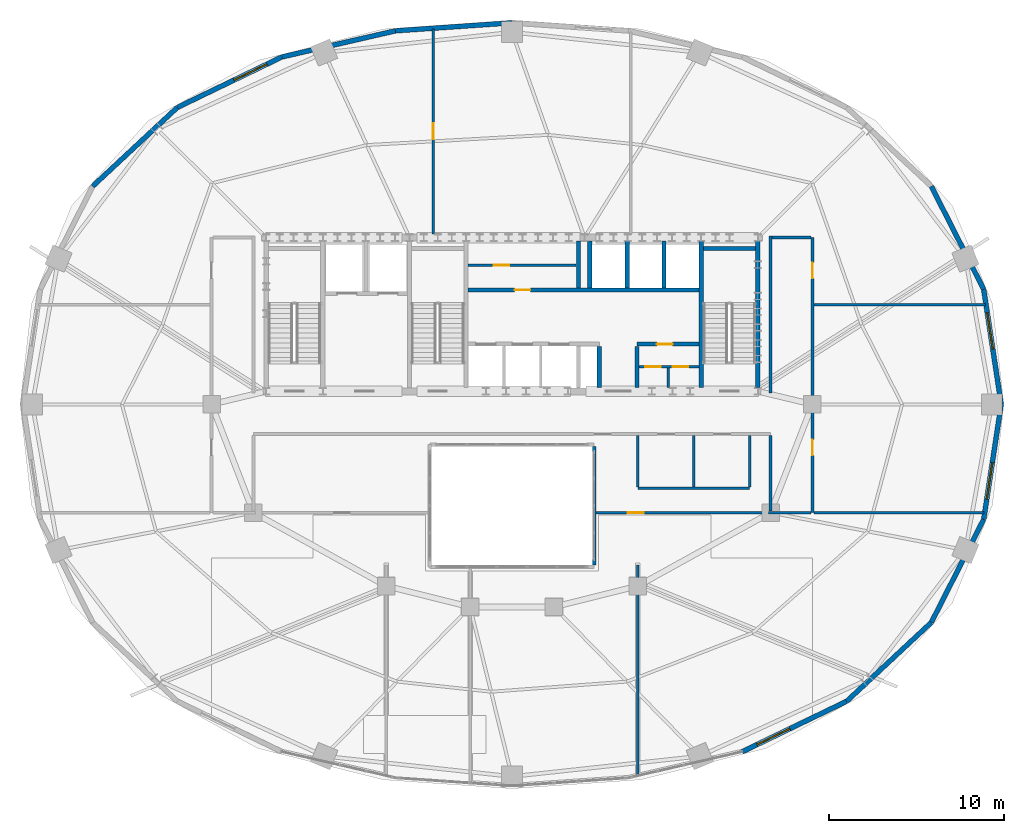
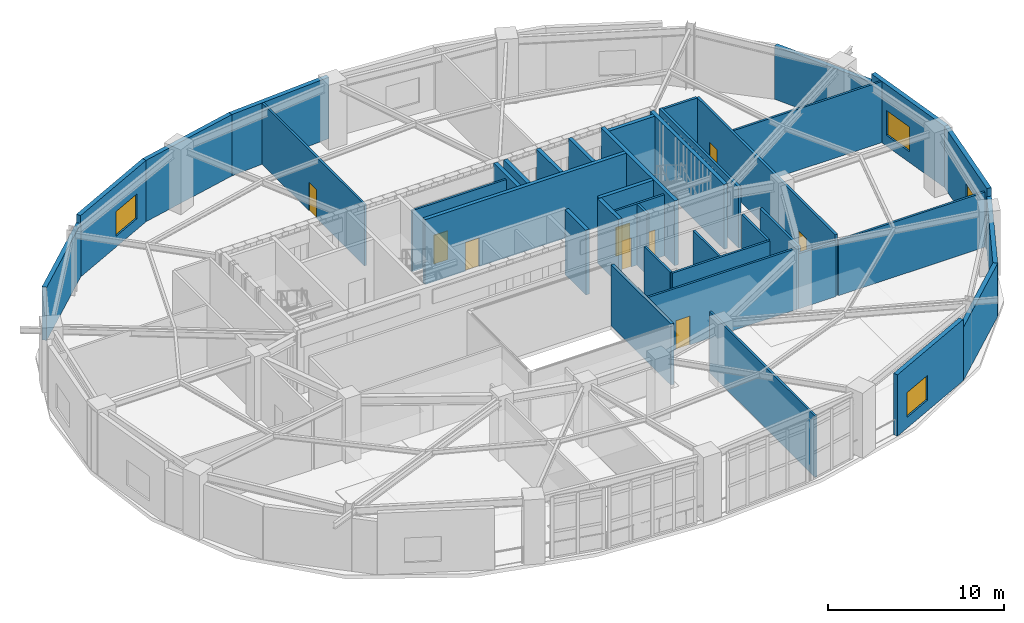
# One storey, part 10 of 13: 39 walls, 9 doors, 4 windows, 13 openings.
"""IFC4 building model written with IfcOpenShell, lengths in metres."""

from ifc_helpers import new_model, si_unit, direction, frame, frame_2d, origin, place, context, subcontext, project, spatial, rectangle, extrude, material, layer, layer_set, type_object, element, fill, save


model = new_model("IFC4")

# Units and contexts
model_context = context("Model", 3, precision=1e-05, world=origin(), true_north=direction((0.0, 1.0)))
body_context = subcontext(model_context, "Body", "Model", "MODEL_VIEW")
ifc_project = project(units=[si_unit("LENGTHUNIT", "METRE"), si_unit("AREAUNIT", "SQUARE_METRE"), si_unit("VOLUMEUNIT", "CUBIC_METRE"), si_unit("PLANEANGLEUNIT", "RADIAN"), si_unit("MASSUNIT", "GRAM", prefix="KILO")], contexts=[model_context])

# Site, building, storey
site_placement = place(None, origin())
site = spatial("IfcSite", under=ifc_project, at=site_placement, CompositionType="ELEMENT")
building_placement = place(site_placement, origin())
building = spatial("IfcBuilding", under=site, at=building_placement, Name="Haldorwick Loom Tower", CompositionType="ELEMENT")
storey_placement = place(building_placement, frame((0.0, 0.0, 188.949951171875)))
storey = spatial("IfcBuildingStorey", under=building, at=storey_placement, Name="L51", CompositionType="ELEMENT", Elevation=188.949951171875)

# Wall, opening, window
ifc_material_1 = material(Name="Pressed Clay Face Brick and Insulated Masonry Backup Assembly", Category="masonry")
ifc_layer_1 = layer(ifc_material_1, 0.280029296875, Name="Pressed Clay Face Brick and Insulated Masonry Backup Assembly", Category="masonry")
ifc_layer_set_1 = layer_set([ifc_layer_1], Name="Pressed Clay Face Brick and Insulated Masonry Backup Assembly")
wall_type_1 = type_object("IfcWallType", Name="ARC-WL-EXT280", PredefinedType="STANDARD", material=ifc_layer_set_1)
wall_1_placement = place(storey_placement, frame((64.00634765625, 26.0, 0.0), z_axis=(0.0, 0.0, 1.0), x_axis=(-0.150467697578, 0.988614926038, 0.0)))
wall_1 = element("IfcWall", 1, at=wall_1_placement, inside=storey, type_object=wall_type_1, Name="L51 Brick Pier and Spandrel Wall 1", PredefinedType="STANDARD", context=body_context, shape_type="SweptSolid", body=[
    extrude(rectangle(XDim=6.66064453125, YDim=0.280029296875, at=frame_2d((3.330322265625, 0.0))), origin(), (0.0, 0.0, 1.0), 4.260009765625),
])
opening_1_placement = place(wall_1_placement, frame((3.20556640625, 0.0, 0.75)))
opening_1 = element("IfcOpeningElement", 2, at=opening_1_placement, cuts=wall_1, Name="Opening W-04", PredefinedType="OPENING", context=body_context, shape_type="SweptSolid", body=[
    extrude(rectangle(XDim=2.10009765625, YDim=1.719970703125, at=frame_2d((1.050048828125, 0.85986328125))), frame((0.0, 0.14990234375, 0.0), z_axis=(0.0, -1.0, 0.0), x_axis=(1.0, 0.0, 0.0)), (0.0, 0.0, 1.0), 0.300048828125),
])
ifc_material_2 = material(Name="Triple-Glazed Low-E Argon Insulated Glazing Unit", Category="glass")
window_type = type_object("IfcWindowType", Name="ARC-WIN-W210", PartitioningType="SINGLE_PANEL", PredefinedType="WINDOW", material=ifc_material_2)
window_1_placement = place(opening_1_placement, origin())
window_1 = element("IfcWindow", 3, at=window_1_placement, inside=storey, type_object=window_type, Name="L51 Deep-Set Zone 7A Window 1", OverallHeight=1.719970703125, OverallWidth=2.10009765625, PartitioningType="SINGLE_PANEL", PredefinedType="WINDOW", context=body_context, shape_type="SweptSolid", body=[
    extrude(rectangle(XDim=2.10009765625, YDim=1.719970703125, at=frame_2d((1.050048828125, 0.85986328125))), frame((0.0, 0.030029296875, 0.0), z_axis=(0.0, -1.0, 0.0), x_axis=(1.0, 0.0, 0.0)), (0.0, 0.0, 1.0), 0.06005859375),
])
fill(opening_1, window_1)

# Walls
wall_2_placement = place(storey_placement, frame((63.004150390625, 32.584716796875, 0.0), z_axis=(0.0, 0.0, 1.0), x_axis=(-0.453032066879, 0.89149422117, 0.0)))
element("IfcWall", 4, at=wall_2_placement, inside=storey, type_object=wall_type_1, Name="L51 Brick Pier and Spandrel Wall 2", PredefinedType="STANDARD", context=body_context, shape_type="SweptSolid", body=[
    extrude(rectangle(XDim=6.618896484375, YDim=0.280029296875, at=frame_2d((3.3095703125, 0.0))), origin(), (0.0, 0.0, 1.0), 3.691162109375),
])
wall_3_placement = place(storey_placement, frame((36.0, 47.844970703125, 0.0), z_axis=(0.0, 0.0, 1.0), x_axis=(-0.99764992135, -0.068517402386, 0.0)))
element("IfcWall", 5, at=wall_3_placement, inside=storey, type_object=wall_type_1, Name="L51 Brick Pier and Spandrel Wall 7", PredefinedType="STANDARD", context=body_context, shape_type="SweptSolid", body=[
    extrude(rectangle(XDim=6.680908203125, YDim=0.280029296875, at=frame_2d((3.34033203125, 0.0))), origin(), (0.0, 0.0, 1.0), 4.260009765625),
])
wall_4_placement = place(storey_placement, frame((29.334716796875, 47.38720703125, 0.0), z_axis=(0.0, 0.0, 1.0), x_axis=(-0.974557343474, -0.224138315065, 0.0)))
element("IfcWall", 6, at=wall_4_placement, inside=storey, type_object=wall_type_1, Name="L51 Brick Pier and Spandrel Wall 8", PredefinedType="STANDARD", context=body_context, shape_type="SweptSolid", body=[
    extrude(rectangle(XDim=6.676025390625, YDim=0.280029296875, at=frame_2d((3.337890625, 0.0))), origin(), (0.0, 0.0, 1.0), 4.260009765625),
])

# Wall, opening, window
wall_5_placement = place(storey_placement, frame((22.82861328125, 45.890869140625, 0.0), z_axis=(0.0, 0.0, 1.0), x_axis=(-0.900371236029, -0.435122554381, 0.0)))
wall_5 = element("IfcWall", 7, at=wall_5_placement, inside=storey, type_object=wall_type_1, Name="L51 Brick Pier and Spandrel Wall 9", PredefinedType="STANDARD", context=body_context, shape_type="SweptSolid", body=[
    extrude(rectangle(XDim=6.6533203125, YDim=0.280029296875, at=frame_2d((3.32666015625, 0.0))), origin(), (0.0, 0.0, 1.0), 4.260009765625),
])
opening_2_placement = place(wall_5_placement, frame((0.946044921875, 0.0, 0.75)))
opening_2 = element("IfcOpeningElement", 8, at=opening_2_placement, cuts=wall_5, Name="Opening W-04", PredefinedType="OPENING", context=body_context, shape_type="SweptSolid", body=[
    extrude(rectangle(XDim=2.10009765625, YDim=1.719970703125, at=frame_2d((1.050048828125, 0.85986328125))), frame((0.0, 0.14990234375, 0.0), z_axis=(0.0, -1.0, 0.0), x_axis=(1.0, 0.0, 0.0)), (0.0, 0.0, 1.0), 0.300048828125),
])
window_2_placement = place(opening_2_placement, origin())
window_2 = element("IfcWindow", 9, at=window_2_placement, inside=storey, type_object=window_type, Name="L51 Deep-Set Zone 7A Window 9", OverallHeight=1.719970703125, OverallWidth=2.10009765625, PartitioningType="SINGLE_PANEL", PredefinedType="WINDOW", context=body_context, shape_type="SweptSolid", body=[
    extrude(rectangle(XDim=2.10009765625, YDim=1.719970703125, at=frame_2d((1.050048828125, 0.85986328125))), frame((0.0, 0.030029296875, 0.0), z_axis=(0.0, -1.0, 0.0), x_axis=(1.0, 0.0, 0.0)), (0.0, 0.0, 1.0), 0.06005859375),
])
fill(opening_2, window_2)

# Wall
wall_6_placement = place(storey_placement, frame((16.838134765625, 42.995849609375, 0.0), z_axis=(0.0, 0.0, 1.0), x_axis=(-0.731833707499, -0.681483253329, 0.0)))
element("IfcWall", 10, at=wall_6_placement, inside=storey, type_object=wall_type_1, Name="L51 Brick Pier and Spandrel Wall 10", PredefinedType="STANDARD", context=body_context, shape_type="SweptSolid", body=[
    extrude(rectangle(XDim=6.61865234375, YDim=0.280029296875, at=frame_2d((3.309326171875, 0.0))), origin(), (0.0, 0.0, 1.0), 3.691162109375),
])

# Wall, opening, window
wall_7_placement = place(storey_placement, frame((49.17138671875, 6.109130859375, 0.0), z_axis=(0.0, 0.0, 1.0), x_axis=(0.900371236029, 0.435122554381, 0.0)))
wall_7 = element("IfcWall", 11, at=wall_7_placement, inside=storey, type_object=wall_type_1, Name="L51 Brick Pier and Spandrel Wall 21", PredefinedType="STANDARD", context=body_context, shape_type="SweptSolid", body=[
    extrude(rectangle(XDim=6.6533203125, YDim=0.280029296875, at=frame_2d((3.32666015625, 0.0))), origin(), (0.0, 0.0, 1.0), 4.260009765625),
])
opening_3_placement = place(wall_7_placement, frame((0.946044921875, 0.0, 0.75)))
opening_3 = element("IfcOpeningElement", 12, at=opening_3_placement, cuts=wall_7, Name="Opening W-04", PredefinedType="OPENING", context=body_context, shape_type="SweptSolid", body=[
    extrude(rectangle(XDim=2.10009765625, YDim=1.719970703125, at=frame_2d((1.050048828125, 0.85986328125))), frame((0.0, 0.14990234375, 0.0), z_axis=(0.0, -1.0, 0.0), x_axis=(1.0, 0.0, 0.0)), (0.0, 0.0, 1.0), 0.300048828125),
])
window_3_placement = place(opening_3_placement, origin())
window_3 = element("IfcWindow", 13, at=window_3_placement, inside=storey, type_object=window_type, Name="L51 Deep-Set Zone 7A Window 21", OverallHeight=1.719970703125, OverallWidth=2.10009765625, PartitioningType="SINGLE_PANEL", PredefinedType="WINDOW", context=body_context, shape_type="SweptSolid", body=[
    extrude(rectangle(XDim=2.10009765625, YDim=1.719970703125, at=frame_2d((1.050048828125, 0.85986328125))), frame((0.0, 0.030029296875, 0.0), z_axis=(0.0, -1.0, 0.0), x_axis=(1.0, 0.0, 0.0)), (0.0, 0.0, 1.0), 0.06005859375),
])
fill(opening_3, window_3)

# Walls
wall_8_placement = place(storey_placement, frame((55.161865234375, 9.004150390625, 0.0), z_axis=(0.0, 0.0, 1.0), x_axis=(0.731833707499, 0.681483253329, 0.0)))
element("IfcWall", 14, at=wall_8_placement, inside=storey, type_object=wall_type_1, Name="L51 Brick Pier and Spandrel Wall 22", PredefinedType="STANDARD", context=body_context, shape_type="SweptSolid", body=[
    extrude(rectangle(XDim=6.61865234375, YDim=0.280029296875, at=frame_2d((3.309326171875, 0.0))), origin(), (0.0, 0.0, 1.0), 3.691162109375),
])
wall_9_placement = place(storey_placement, frame((60.005615234375, 13.5146484375, 0.0), z_axis=(0.0, 0.0, 1.0), x_axis=(0.453032066879, 0.89149422117, 0.0)))
element("IfcWall", 15, at=wall_9_placement, inside=storey, type_object=wall_type_1, Name="L51 Brick Pier and Spandrel Wall 23", PredefinedType="STANDARD", context=body_context, shape_type="SweptSolid", body=[
    extrude(rectangle(XDim=6.618896484375, YDim=0.280029296875, at=frame_2d((3.3095703125, 0.0))), origin(), (0.0, 0.0, 1.0), 3.691162109375),
])

# Wall, opening, window
wall_10_placement = place(storey_placement, frame((63.004150390625, 19.415283203125, 0.0), z_axis=(0.0, 0.0, 1.0), x_axis=(0.150467697578, 0.988614926038, 0.0)))
wall_10 = element("IfcWall", 16, at=wall_10_placement, inside=storey, type_object=wall_type_1, Name="L51 Brick Pier and Spandrel Wall 24", PredefinedType="STANDARD", context=body_context, shape_type="SweptSolid", body=[
    extrude(rectangle(XDim=6.66064453125, YDim=0.280029296875, at=frame_2d((3.330322265625, 0.0))), origin(), (0.0, 0.0, 1.0), 4.260009765625),
])
opening_4_placement = place(wall_10_placement, frame((1.17578125, 0.0, 0.75)))
opening_4 = element("IfcOpeningElement", 17, at=opening_4_placement, cuts=wall_10, Name="Opening W-04", PredefinedType="OPENING", context=body_context, shape_type="SweptSolid", body=[
    extrude(rectangle(XDim=2.10009765625, YDim=1.719970703125, at=frame_2d((1.050048828125, 0.85986328125))), frame((0.0, 0.14990234375, 0.0), z_axis=(0.0, -1.0, 0.0), x_axis=(1.0, 0.0, 0.0)), (0.0, 0.0, 1.0), 0.300048828125),
])
window_4_placement = place(opening_4_placement, origin())
window_4 = element("IfcWindow", 18, at=window_4_placement, inside=storey, type_object=window_type, Name="L51 Deep-Set Zone 7A Window 24", OverallHeight=1.719970703125, OverallWidth=2.10009765625, PartitioningType="SINGLE_PANEL", PredefinedType="WINDOW", context=body_context, shape_type="SweptSolid", body=[
    extrude(rectangle(XDim=2.10009765625, YDim=1.719970703125, at=frame_2d((1.050048828125, 0.85986328125))), frame((0.0, 0.030029296875, 0.0), z_axis=(0.0, -1.0, 0.0), x_axis=(1.0, 0.0, 0.0)), (0.0, 0.0, 1.0), 0.06005859375),
])
fill(opening_4, window_4)

# Wall, openings, doors
ifc_material_3 = material(Name="Fire-Rated Type X Gypsum Stud Assembly EI 60")
ifc_layer_2 = layer(ifc_material_3, 0.159912109375, Name="Fire-Rated Type X Gypsum Stud Assembly EI 60")
ifc_layer_set_2 = layer_set([ifc_layer_2], Name="Fire-Rated Type X Gypsum Stud Assembly EI 60")
wall_type_2 = type_object("IfcWallType", Name="ARC-WL-FIRE160", PredefinedType="PARTITIONING", material=ifc_layer_set_2)
wall_11_placement = place(storey_placement, frame((53.199951171875, 19.800048828125, 0.0), z_axis=(0.0, 0.0, 1.0), x_axis=(0.0, 1.0, 0.0)))
wall_11 = element("IfcWall", 19, at=wall_11_placement, inside=storey, type_object=wall_type_2, Name="L51 Interior Partition L51-CE0", PredefinedType="PARTITIONING", context=body_context, shape_type="SweptSolid", body=[
    extrude(rectangle(XDim=15.75, YDim=0.159912109375, at=frame_2d((7.875, 0.0))), origin(), (0.0, 0.0, 1.0), 4.2451171875),
])
opening_5_placement = place(wall_11_placement, frame((3.28466796875, 0.0, 0.0)))
opening_5 = element("IfcOpeningElement", 20, at=opening_5_placement, cuts=wall_11, Name="Opening D-FD60A", PredefinedType="OPENING", context=body_context, shape_type="SweptSolid", body=[
    extrude(rectangle(XDim=0.89990234375, YDim=2.0, at=frame_2d((0.449951171875, 1.0))), frame((0.0, 0.08984375, 0.0), z_axis=(0.0, -1.0, 0.0), x_axis=(1.0, 0.0, 0.0)), (0.0, 0.0, 1.0), 0.179931640625),
])
opening_6_placement = place(wall_11_placement, frame((13.414306640625, 0.0, 0.0)))
opening_6 = element("IfcOpeningElement", 21, at=opening_6_placement, cuts=wall_11, Name="Opening D-FD60A", PredefinedType="OPENING", context=body_context, shape_type="SweptSolid", body=[
    extrude(rectangle(XDim=0.89990234375, YDim=2.0, at=frame_2d((0.449951171875, 1.0))), frame((0.0, 0.08984375, 0.0), z_axis=(0.0, -1.0, 0.0), x_axis=(1.0, 0.0, 0.0)), (0.0, 0.0, 1.0), 0.179931640625),
])
ifc_material_4 = material(Name="Hollow Steel Fire Door Assembly", Category="steel")
door_type_1 = type_object("IfcDoorType", Name="ARC-DR-FD60-90", OperationType="NOTDEFINED", PredefinedType="DOOR", material=ifc_material_4)
door_1_placement = place(opening_5_placement, origin())
door_1 = element("IfcDoor", 22, at=door_1_placement, inside=storey, type_object=door_type_1, Name="L51 L51 Central Transfer Corridor to Community Teaching Lab 7 Door", OperationType="SINGLE_SWING_LEFT", OverallHeight=2.0, OverallWidth=0.89990234375, PredefinedType="DOOR", context=body_context, shape_type="SweptSolid", body=[
    extrude(rectangle(XDim=0.89990234375, YDim=2.0, at=frame_2d((0.449951171875, 1.0))), frame((0.0, 0.02490234375, 0.0), z_axis=(0.0, -1.0, 0.0), x_axis=(1.0, 0.0, 0.0)), (0.0, 0.0, 1.0), 0.050048828125),
])
fill(opening_5, door_1)
door_2_placement = place(opening_6_placement, origin())
door_2 = element("IfcDoor", 23, at=door_2_placement, inside=storey, type_object=door_type_1, Name="L51 L51 Central Transfer Corridor to Seminar Room 9 Door", OperationType="SINGLE_SWING_LEFT", OverallHeight=2.0, OverallWidth=0.89990234375, PredefinedType="DOOR", context=body_context, shape_type="SweptSolid", body=[
    extrude(rectangle(XDim=0.89990234375, YDim=2.0, at=frame_2d((0.449951171875, 1.0))), frame((0.0, 0.02490234375, 0.0), z_axis=(0.0, -1.0, 0.0), x_axis=(1.0, 0.0, 0.0)), (0.0, 0.0, 1.0), 0.050048828125),
])
fill(opening_6, door_2)

# Walls
wall_12_placement = place(storey_placement, frame((50.679931640625, 19.800048828125, 0.0), z_axis=(0.0, 0.0, 1.0), x_axis=(1.0, 0.0, 0.0)))
element("IfcWall", 24, at=wall_12_placement, inside=storey, type_object=wall_type_2, Name="L51 Interior Partition L51-CES", PredefinedType="PARTITIONING", context=body_context, shape_type="SweptSolid", body=[
    extrude(rectangle(XDim=2.43701171875, YDim=0.159912109375, at=frame_2d((1.218505859375, 0.0))), origin(), (0.0, 0.0, 1.0), 3.822021484375),
])
wall_13_placement = place(storey_placement, frame((50.800048828125, 19.883056640625, 0.0), z_axis=(0.0, 0.0, 1.0), x_axis=(0.0, 1.0, 0.0)))
element("IfcWall", 25, at=wall_13_placement, inside=storey, type_object=wall_type_2, Name="L51 Interior Partition L51-CE1", PredefinedType="PARTITIONING", context=body_context, shape_type="SweptSolid", body=[
    extrude(rectangle(XDim=4.333984375, YDim=0.159912109375, at=frame_2d((2.1669921875, 0.0))), origin(), (0.0, 0.0, 1.0), 4.2451171875),
])
wall_14_placement = place(storey_placement, frame((50.800048828125, 26.64990234375, 0.0), z_axis=(0.0, 0.0, 1.0), x_axis=(0.0, 1.0, 0.0)))
element("IfcWall", 26, at=wall_14_placement, inside=storey, type_object=wall_type_2, Name="L51 Interior Partition L51-CE2", PredefinedType="PARTITIONING", context=body_context, shape_type="SweptSolid", body=[
    extrude(rectangle(XDim=9.0, YDim=0.159912109375, at=frame_2d((4.5, 0.0))), origin(), (0.0, 0.0, 1.0), 4.2451171875),
])
wall_15_placement = place(storey_placement, frame((50.883056640625, 35.550048828125, 0.0), z_axis=(0.0, 0.0, 1.0), x_axis=(1.0, 0.0, 0.0)))
element("IfcWall", 27, at=wall_15_placement, inside=storey, type_object=wall_type_2, Name="L51 Interior Partition L51-CEN", PredefinedType="PARTITIONING", context=body_context, shape_type="SweptSolid", body=[
    extrude(rectangle(XDim=2.23388671875, YDim=0.159912109375, at=frame_2d((1.116943359375, 0.0))), origin(), (0.0, 0.0, 1.0), 4.2451171875),
])
ifc_material_5 = material(Name="Fire-Rated Type X Gypsum Stud Assembly EI 120")
ifc_layer_3 = layer(ifc_material_5, 0.199951171875, Name="Fire-Rated Type X Gypsum Stud Assembly EI 120")
ifc_layer_set_3 = layer_set([ifc_layer_3], Name="Fire-Rated Type X Gypsum Stud Assembly EI 120")
wall_type_3 = type_object("IfcWallType", Name="ARC-WL-FIRE200", PredefinedType="PARTITIONING", material=ifc_layer_set_3)
wall_16_placement = place(storey_placement, frame((40.699951171875, 23.596923828125, 0.0), z_axis=(0.0, 0.0, 1.0), x_axis=(0.0, -1.0, 0.0)))
element("IfcWall", 28, at=wall_16_placement, inside=storey, type_object=wall_type_3, Name="L51 Atrium Fire Wall", PredefinedType="PARTITIONING", context=body_context, shape_type="SweptSolid", body=[
    extrude(rectangle(XDim=6.7939453125, YDim=0.199951171875, at=frame_2d((3.39697265625, 0.0))), origin(), (0.0, 0.0, 1.0), 4.2451171875),
])

# Wall, opening, door
ifc_layer_4 = layer(ifc_material_3, 0.139892578125, Name="Fire-Rated Type X Gypsum Stud Assembly EI 60")
ifc_layer_set_4 = layer_set([ifc_layer_4], Name="Fire-Rated Type X Gypsum Stud Assembly EI 60")
wall_type_4 = type_object("IfcWallType", Name="ARC-WL-PART140", PredefinedType="PARTITIONING", material=ifc_layer_set_4)
wall_17_placement = place(storey_placement, frame((33.492919921875, 33.9599609375, 0.0), z_axis=(0.0, 0.0, 1.0), x_axis=(1.0, 0.0, 0.0)))
wall_17 = element("IfcWall", 29, at=wall_17_placement, inside=storey, type_object=wall_type_4, Name="L51 Alcove Partition", PredefinedType="PARTITIONING", context=body_context, shape_type="SweptSolid", body=[
    extrude(rectangle(XDim=6.18408203125, YDim=0.139892578125, at=frame_2d((3.092041015625, 0.0))), origin(), (0.0, 0.0, 1.0), 4.2451171875),
])
opening_7_placement = place(wall_17_placement, frame((1.45703125, 0.0, 0.0)))
opening_7 = element("IfcOpeningElement", 30, at=opening_7_placement, cuts=wall_17, Name="Opening D-FD60A", PredefinedType="OPENING", context=body_context, shape_type="SweptSolid", body=[
    extrude(rectangle(XDim=0.89990234375, YDim=2.0, at=frame_2d((0.449951171875, 1.0))), frame((0.0, 0.079833984375, 0.0), z_axis=(0.0, -1.0, 0.0), x_axis=(1.0, 0.0, 0.0)), (0.0, 0.0, 1.0), 0.159912109375),
])
door_3_placement = place(opening_7_placement, frame((0.89990234375, 0.0, 0.0), z_axis=(0.0, 0.0, 1.0), x_axis=(-1.0, 0.0, 0.0)))
door_3 = element("IfcDoor", 31, at=door_3_placement, inside=storey, type_object=door_type_1, Name="L51 Trunk Store Door", OperationType="SINGLE_SWING_LEFT", OverallHeight=2.0, OverallWidth=0.89990234375, PredefinedType="DOOR", context=body_context, shape_type="SweptSolid", body=[
    extrude(rectangle(XDim=0.89990234375, YDim=2.0, at=frame_2d((0.449951171875, 1.0))), frame((0.0, 0.02490234375, 0.0), z_axis=(0.0, -1.0, 0.0), x_axis=(1.0, 0.0, 0.0)), (0.0, 0.0, 1.0), 0.050048828125),
])
fill(opening_7, door_3)

# Wall, openings, doors
wall_18_placement = place(storey_placement, frame((43.27294921875, 28.159912109375, 0.0), z_axis=(0.0, 0.0, 1.0), x_axis=(1.0, 0.0, 0.0)))
wall_18 = element("IfcWall", 32, at=wall_18_placement, inside=storey, type_object=wall_type_4, Name="L51 Telecom Partition", PredefinedType="PARTITIONING", context=body_context, shape_type="SweptSolid", body=[
    extrude(rectangle(XDim=3.43408203125, YDim=0.139892578125, at=frame_2d((1.717041015625, 0.0))), origin(), (0.0, 0.0, 1.0), 4.2451171875),
])
opening_8_placement = place(wall_18_placement, frame((0.366943359375, 0.0, 0.0)))
opening_8 = element("IfcOpeningElement", 33, at=opening_8_placement, cuts=wall_18, Name="Opening D-BT88", PredefinedType="OPENING", context=body_context, shape_type="SweptSolid", body=[
    extrude(rectangle(XDim=0.8798828125, YDim=2.02001953125, at=frame_2d((0.43994140625, 1.010009765625))), frame((0.0, 0.079833984375, 0.0), z_axis=(0.0, -1.0, 0.0), x_axis=(1.0, 0.0, 0.0)), (0.0, 0.0, 1.0), 0.159912109375),
])
opening_9_placement = place(wall_18_placement, frame((1.93701171875, 0.0, 0.0)))
opening_9 = element("IfcOpeningElement", 34, at=opening_9_placement, cuts=wall_18, Name="Opening D-BT88", PredefinedType="OPENING", context=body_context, shape_type="SweptSolid", body=[
    extrude(rectangle(XDim=0.8798828125, YDim=2.02001953125, at=frame_2d((0.43994140625, 1.010009765625))), frame((0.0, 0.079833984375, 0.0), z_axis=(0.0, -1.0, 0.0), x_axis=(1.0, 0.0, 0.0)), (0.0, 0.0, 1.0), 0.159912109375),
])
ifc_material_6 = material(Name="Solid Core Birch Architectural Door")
door_type_2 = type_object("IfcDoorType", Name="ARC-DR-BATH88", OperationType="NOTDEFINED", PredefinedType="DOOR", material=ifc_material_6)
door_4_placement = place(opening_8_placement, origin())
door_4 = element("IfcDoor", 35, at=door_4_placement, inside=storey, type_object=door_type_2, Name="L51 Telecom Room Door", OperationType="SINGLE_SWING_LEFT", OverallHeight=2.02001953125, OverallWidth=0.8798828125, PredefinedType="DOOR", context=body_context, shape_type="SweptSolid", body=[
    extrude(rectangle(XDim=0.8798828125, YDim=2.02001953125, at=frame_2d((0.43994140625, 1.010009765625))), frame((0.0, 0.02490234375, 0.0), z_axis=(0.0, -1.0, 0.0), x_axis=(1.0, 0.0, 0.0)), (0.0, 0.0, 1.0), 0.050048828125),
])
fill(opening_8, door_4)
door_5_placement = place(opening_9_placement, origin())
door_5 = element("IfcDoor", 36, at=door_5_placement, inside=storey, type_object=door_type_2, Name="L51 Metering Closet Door", OperationType="SINGLE_SWING_RIGHT", OverallHeight=2.02001953125, OverallWidth=0.8798828125, PredefinedType="DOOR", context=body_context, shape_type="SweptSolid", body=[
    extrude(rectangle(XDim=0.8798828125, YDim=2.02001953125, at=frame_2d((0.43994140625, 1.010009765625))), frame((0.0, 0.02490234375, 0.0), z_axis=(0.0, -1.0, 0.0), x_axis=(1.0, 0.0, 0.0)), (0.0, 0.0, 1.0), 0.050048828125),
])
fill(opening_9, door_5)

# Walls
wall_19_placement = place(storey_placement, frame((44.949951171875, 26.952880859375, 0.0), z_axis=(0.0, 0.0, 1.0), x_axis=(0.0, 1.0, 0.0)))
element("IfcWall", 37, at=wall_19_placement, inside=storey, type_object=wall_type_4, Name="L51 Metering Sub-Partition", PredefinedType="PARTITIONING", context=body_context, shape_type="SweptSolid", body=[
    extrude(rectangle(XDim=1.134033203125, YDim=0.139892578125, at=frame_2d((0.56689453125, 0.0))), origin(), (0.0, 0.0, 1.0), 4.2451171875),
])
wall_20_placement = place(storey_placement, frame((43.199951171875, 21.199951171875, 0.0), z_axis=(0.0, 0.0, 1.0), x_axis=(1.0, 0.0, 0.0)))
element("IfcWall", 38, at=wall_20_placement, inside=storey, type_object=wall_type_4, Name="L51 Interior Partition L51-WC1", PredefinedType="PARTITIONING", context=body_context, shape_type="SweptSolid", body=[
    extrude(rectangle(XDim=6.400146484375, YDim=0.139892578125, at=frame_2d((3.2001953125, 0.0))), origin(), (0.0, 0.0, 1.0), 4.2451171875),
])
for number, where, z_axis, x_axis, name in (
    (39, (46.39990234375, 21.27294921875, 0.0), (0.0, 0.0, 1.0), (0.0, 1.0, 0.0), "L51 Interior Partition L51-WC2"),
    (40, (43.199951171875, 21.27294921875, 0.0), (0.0, 0.0, 1.0), (0.0, 1.0, 0.0), "L51 Interior Partition L51-WC3"),
    (41, (49.60009765625, 21.27294921875, 0.0), (0.0, 0.0, 1.0), (0.0, 1.0, 0.0), "L51 Interior Partition L51-WC4"),
):
    element("IfcWall", number, at=place(storey_placement, frame(where, z_axis=z_axis, x_axis=x_axis)), inside=storey, type_object=wall_type_4, Name=name, PredefinedType="PARTITIONING", context=body_context, shape_type="SweptSolid", body=[
        extrude(rectangle(XDim=2.944091796875, YDim=0.139892578125, at=frame_2d((1.47216796875, 0.0))), origin(), (0.0, 0.0, 1.0), 4.2451171875),
    ])
wall_21_placement = place(storey_placement, frame((43.199951171875, 4.781982421875, 0.0), z_axis=(0.0, 0.0, 1.0), x_axis=(0.0, 1.0, 0.0)))
element("IfcWall", 42, at=wall_21_placement, inside=storey, type_object=wall_type_4, Name="L51 Interior Partition L51-S-2", PredefinedType="PARTITIONING", context=body_context, shape_type="SweptSolid", body=[
    extrude(rectangle(XDim=12.01806640625, YDim=0.139892578125, at=frame_2d((6.009033203125, 0.0))), origin(), (0.0, 0.0, 1.0), 4.2451171875),
])

# Wall, opening, door
wall_22_placement = place(storey_placement, frame((40.802978515625, 19.800048828125, 0.0), z_axis=(0.0, 0.0, 1.0), x_axis=(1.0, 0.0, 0.0)))
wall_22 = element("IfcWall", 43, at=wall_22_placement, inside=storey, type_object=wall_type_4, Name="L51 Interior Partition L51-EL-S", PredefinedType="PARTITIONING", context=body_context, shape_type="SweptSolid", body=[
    extrude(rectangle(XDim=9.876953125, YDim=0.139892578125, at=frame_2d((4.9384765625, 0.0))), origin(), (0.0, 0.0, 1.0), 4.2451171875),
])
opening_10_placement = place(wall_22_placement, frame((1.8359375, 0.0, 0.0)))
opening_10 = element("IfcOpeningElement", 44, at=opening_10_placement, cuts=wall_22, Name="Opening D-FD60A", PredefinedType="OPENING", context=body_context, shape_type="SweptSolid", body=[
    extrude(rectangle(XDim=0.89990234375, YDim=2.0, at=frame_2d((0.449951171875, 1.0))), frame((0.0, 0.079833984375, 0.0), z_axis=(0.0, -1.0, 0.0), x_axis=(1.0, 0.0, 0.0)), (0.0, 0.0, 1.0), 0.159912109375),
])
door_6_placement = place(opening_10_placement, origin())
door_6 = element("IfcDoor", 45, at=door_6_placement, inside=storey, type_object=door_type_1, Name="L51 Maker Craft Workshop 3 to Upper Co-Working Hub 1 Door", OperationType="SINGLE_SWING_RIGHT", OverallHeight=2.0, OverallWidth=0.89990234375, PredefinedType="DOOR", context=body_context, shape_type="SweptSolid", body=[
    extrude(rectangle(XDim=0.89990234375, YDim=2.0, at=frame_2d((0.449951171875, 1.0))), frame((0.0, 0.02490234375, 0.0), z_axis=(0.0, -1.0, 0.0), x_axis=(1.0, 0.0, 0.0)), (0.0, 0.0, 1.0), 0.050048828125),
])
fill(opening_10, door_6)

# Walls
wall_23_placement = place(storey_placement, frame((53.282958984375, 19.800048828125, 0.0), z_axis=(0.0, 0.0, 1.0), x_axis=(1.0, 0.0, 0.0)))
element("IfcWall", 46, at=wall_23_placement, inside=storey, type_object=wall_type_4, Name="L51 Interior Partition L51-EL-S", PredefinedType="PARTITIONING", context=body_context, shape_type="SweptSolid", body=[
    extrude(rectangle(XDim=9.734130859375, YDim=0.139892578125, at=frame_2d((4.8671875, 0.0))), origin(), (0.0, 0.0, 1.0), 3.822021484375),
])
wall_24_placement = place(storey_placement, frame((53.282958984375, 31.699951171875, 0.0), z_axis=(0.0, 0.0, 1.0), x_axis=(1.0, 0.0, 0.0)))
element("IfcWall", 47, at=wall_24_placement, inside=storey, type_object=wall_type_4, Name="L51 Interior Partition L51-EL-N", PredefinedType="PARTITIONING", context=body_context, shape_type="SweptSolid", body=[
    extrude(rectangle(XDim=9.810302734375, YDim=0.139892578125, at=frame_2d((4.9052734375, 0.0))), origin(), (0.0, 0.0, 1.0), 4.2451171875),
])

# Wall, opening, door
wall_25_placement = place(storey_placement, frame((31.5, 35.7529296875, 0.0), z_axis=(0.0, 0.0, 1.0), x_axis=(0.0, 1.0, 0.0)))
wall_25 = element("IfcWall", 48, at=wall_25_placement, inside=storey, type_object=wall_type_4, Name="L51 Interior Partition L51-N-0", PredefinedType="PARTITIONING", context=body_context, shape_type="SweptSolid", body=[
    extrude(rectangle(XDim=11.73779296875, YDim=0.139892578125, at=frame_2d((5.868896484375, 0.0))), origin(), (0.0, 0.0, 1.0), 4.2451171875),
])
opening_11_placement = place(wall_25_placement, frame((5.428955078125, 0.0, 0.0)))
opening_11 = element("IfcOpeningElement", 49, at=opening_11_placement, cuts=wall_25, Name="Opening D-FD60A", PredefinedType="OPENING", context=body_context, shape_type="SweptSolid", body=[
    extrude(rectangle(XDim=0.89990234375, YDim=2.0, at=frame_2d((0.449951171875, 1.0))), frame((0.0, 0.079833984375, 0.0), z_axis=(0.0, -1.0, 0.0), x_axis=(1.0, 0.0, 0.0)), (0.0, 0.0, 1.0), 0.159912109375),
])
door_7_placement = place(opening_11_placement, origin())
door_7 = element("IfcDoor", 50, at=door_7_placement, inside=storey, type_object=door_type_1, Name="L51 Community Reading Hall 10 to Upper Co-Working Hub 11 Door", OperationType="SINGLE_SWING_RIGHT", OverallHeight=2.0, OverallWidth=0.89990234375, PredefinedType="DOOR", context=body_context, shape_type="SweptSolid", body=[
    extrude(rectangle(XDim=0.89990234375, YDim=2.0, at=frame_2d((0.449951171875, 1.0))), frame((0.0, 0.02490234375, 0.0), z_axis=(0.0, -1.0, 0.0), x_axis=(1.0, 0.0, 0.0)), (0.0, 0.0, 1.0), 0.050048828125),
])
fill(opening_11, door_7)

# Walls
ifc_material_7 = material(Name="Concrete C50 (50 MPa)", Category="concrete")
ifc_layer_5 = layer(ifc_material_7, 0.239990234375, Name="Concrete C50 (50 MPa)", Category="concrete")
ifc_layer_set_5 = layer_set([ifc_layer_5], Name="Concrete C50 (50 MPa)")
wall_type_5 = type_object("IfcWallType", Name="STR-WL-SHAFT240", PredefinedType="SHEAR", material=ifc_layer_set_5)
for number, where, z_axis, x_axis, name in (
    (51, (50.070068359375, 26.952880859375, 0.0), (0.0, 0.0, 1.0), (0.0, 1.0, 0.0), "L51 Core Shear Wall E"),
    (52, (46.830078125, 26.952880859375, 0.0), (0.0, 0.0, 1.0), (0.0, 1.0, 0.0), "L51 Core Shear Wall 4"),
):
    element("IfcWall", number, at=place(storey_placement, frame(where, z_axis=z_axis, x_axis=x_axis)), inside=storey, type_object=wall_type_5, Name=name, PredefinedType="SHEAR", context=body_context, shape_type="SweptSolid", body=[
        extrude(rectangle(XDim=8.39404296875, YDim=0.239990234375, at=frame_2d((4.197021484375, 0.0))), origin(), (0.0, 0.0, 1.0), 4.5),
    ])
wall_26_placement = place(storey_placement, frame((46.952880859375, 34.919921875, 0.0), z_axis=(0.0, 0.0, 1.0), x_axis=(1.0, 0.0, 0.0)))
element("IfcWall", 53, at=wall_26_placement, inside=storey, type_object=wall_type_5, Name="L51 Core Shear Wall 4N", PredefinedType="SHEAR", context=body_context, shape_type="SweptSolid", body=[
    extrude(rectangle(XDim=2.994140625, YDim=0.239990234375, at=frame_2d((1.4970703125, 0.0))), origin(), (0.0, 0.0, 1.0), 4.5),
])

# Wall, opening, door
wall_27_placement = place(storey_placement, frame((33.492919921875, 32.550048828125, 0.0), z_axis=(0.0, 0.0, 1.0), x_axis=(1.0, 0.0, 0.0)))
wall_27 = element("IfcWall", 54, at=wall_27_placement, inside=storey, type_object=wall_type_5, Name="L51 Core Shear Wall LN", PredefinedType="SHEAR", context=body_context, shape_type="SweptSolid", body=[
    extrude(rectangle(XDim=13.214111328125, YDim=0.239990234375, at=frame_2d((6.60693359375, 0.0))), origin(), (0.0, 0.0, 1.0), 4.5),
])
opening_12_placement = place(wall_27_placement, frame((2.656982421875, 0.0, 0.0)))
opening_12 = element("IfcOpeningElement", 55, at=opening_12_placement, cuts=wall_27, Name="Opening D-FD60A", PredefinedType="OPENING", context=body_context, shape_type="SweptSolid", body=[
    extrude(rectangle(XDim=0.89990234375, YDim=2.0, at=frame_2d((0.449951171875, 1.0))), frame((0.0, 0.1298828125, 0.0), z_axis=(0.0, -1.0, 0.0), x_axis=(1.0, 0.0, 0.0)), (0.0, 0.0, 1.0), 0.260009765625),
])
door_8_placement = place(opening_12_placement, frame((0.89990234375, 0.0, 0.0), z_axis=(0.0, 0.0, 1.0), x_axis=(-1.0, 0.0, 0.0)))
door_8 = element("IfcDoor", 56, at=door_8_placement, inside=storey, type_object=door_type_1, Name="L51 Floor Equipment Door", OperationType="SINGLE_SWING_RIGHT", OverallHeight=2.0, OverallWidth=0.89990234375, PredefinedType="DOOR", context=body_context, shape_type="SweptSolid", body=[
    extrude(rectangle(XDim=0.89990234375, YDim=2.0, at=frame_2d((0.449951171875, 1.0))), frame((0.0, 0.02490234375, 0.0), z_axis=(0.0, -1.0, 0.0), x_axis=(1.0, 0.0, 0.0)), (0.0, 0.0, 1.0), 0.050048828125),
])
fill(opening_12, door_8)

wall_28_placement = place(storey_placement, frame((43.14990234375, 29.449951171875, 0.0), z_axis=(0.0, 0.0, 1.0), x_axis=(1.0, 0.0, 0.0)))
wall_28 = element("IfcWall", 57, at=wall_28_placement, inside=storey, type_object=wall_type_5, Name="L51 Core Shear Wall LS2", PredefinedType="SHEAR", context=body_context, shape_type="SweptSolid", body=[
    extrude(rectangle(XDim=3.55712890625, YDim=0.239990234375, at=frame_2d((1.778564453125, 0.0))), origin(), (0.0, 0.0, 1.0), 4.5),
])
opening_13_placement = place(wall_28_placement, frame((1.14990234375, 0.0, 0.0)))
opening_13 = element("IfcOpeningElement", 58, at=opening_13_placement, cuts=wall_28, Name="Opening D-FD60A", PredefinedType="OPENING", context=body_context, shape_type="SweptSolid", body=[
    extrude(rectangle(XDim=0.89990234375, YDim=2.0, at=frame_2d((0.449951171875, 1.0))), frame((0.0, 0.1298828125, 0.0), z_axis=(0.0, -1.0, 0.0), x_axis=(1.0, 0.0, 0.0)), (0.0, 0.0, 1.0), 0.260009765625),
])
door_9_placement = place(opening_13_placement, origin())
door_9 = element("IfcDoor", 59, at=door_9_placement, inside=storey, type_object=door_type_1, Name="L51 Janitor Closet Door", OperationType="SINGLE_SWING_LEFT", OverallHeight=2.0, OverallWidth=0.89990234375, PredefinedType="DOOR", context=body_context, shape_type="SweptSolid", body=[
    extrude(rectangle(XDim=0.89990234375, YDim=2.0, at=frame_2d((0.449951171875, 1.0))), frame((0.0, 0.02490234375, 0.0), z_axis=(0.0, -1.0, 0.0), x_axis=(1.0, 0.0, 0.0)), (0.0, 0.0, 1.0), 0.050048828125),
])
fill(opening_13, door_9)

# Walls
for number, where, z_axis, x_axis, name in (
    (60, (41.0, 26.952880859375, 0.0), (0.0, 0.0, 1.0), (0.0, 1.0, 0.0), "L51 Core Shear Wall THW"),
    (61, (43.14990234375, 26.952880859375, 0.0), (0.0, 0.0, 1.0), (0.0, 1.0, 0.0), "L51 Core Shear Wall THE"),
):
    element("IfcWall", number, at=place(storey_placement, frame(where, z_axis=z_axis, x_axis=x_axis)), inside=storey, type_object=wall_type_5, Name=name, PredefinedType="SHEAR", context=body_context, shape_type="SweptSolid", body=[
        extrude(rectangle(XDim=2.3740234375, YDim=0.239990234375, at=frame_2d((1.18701171875, 0.0))), origin(), (0.0, 0.0, 1.0), 4.5),
    ])
for number, where, z_axis, x_axis, name in (
    (62, (39.800048828125, 32.673095703125, 0.0), (0.0, 0.0, 1.0), (0.0, 1.0, 0.0), "L51 Core Shear Wall LHW"),
    (63, (40.449951171875, 32.673095703125, 0.0), (0.0, 0.0, 1.0), (0.0, 1.0, 0.0), "L51 Core Shear Wall H0"),
    (64, (42.60009765625, 32.673095703125, 0.0), (0.0, 0.0, 1.0), (0.0, 1.0, 0.0), "L51 Core Shear Wall H1"),
    (65, (44.699951171875, 32.673095703125, 0.0), (0.0, 0.0, 1.0), (0.0, 1.0, 0.0), "L51 Core Shear Wall H2"),
):
    element("IfcWall", number, at=place(storey_placement, frame(where, z_axis=z_axis, x_axis=x_axis)), inside=storey, type_object=wall_type_5, Name=name, PredefinedType="SHEAR", context=body_context, shape_type="SweptSolid", body=[
        extrude(rectangle(XDim=2.673828125, YDim=0.239990234375, at=frame_2d((1.3369140625, 0.0))), origin(), (0.0, 0.0, 1.0), 4.5),
    ])

save(model, "model.ifc")
